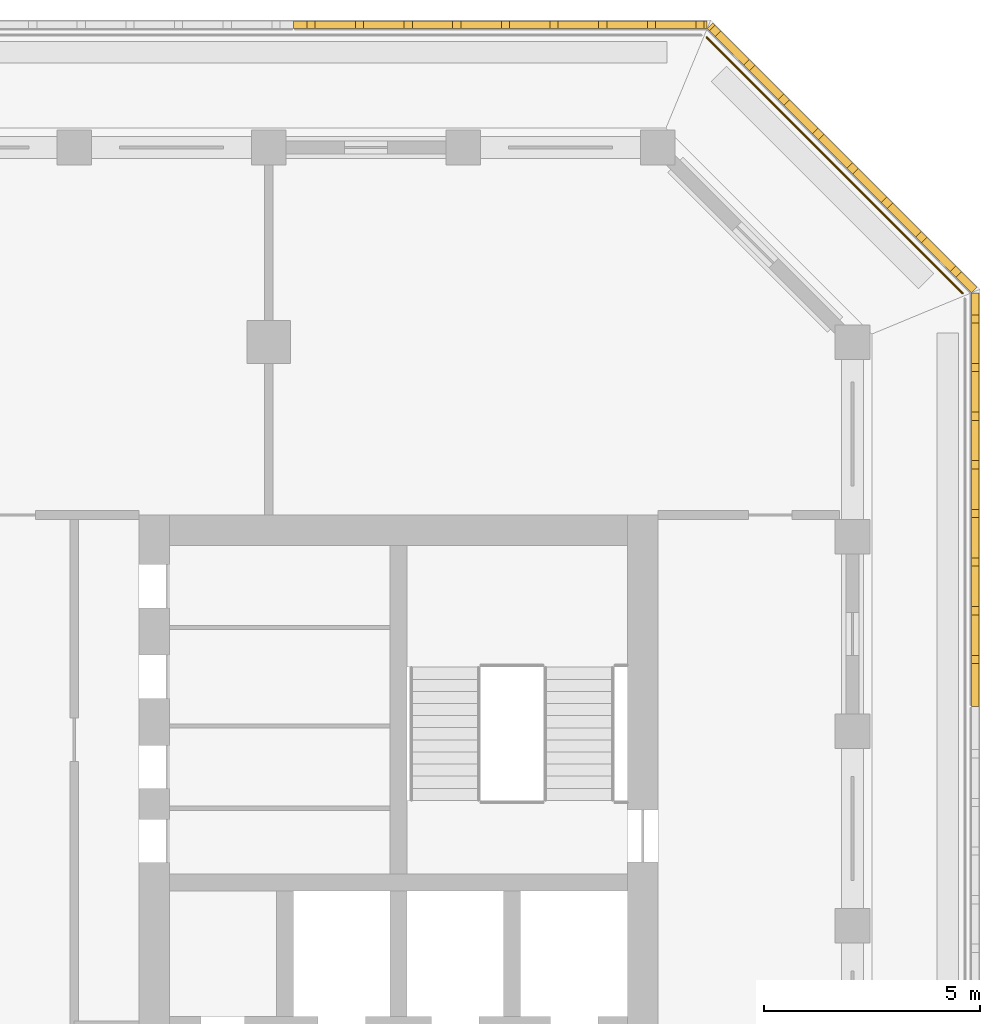
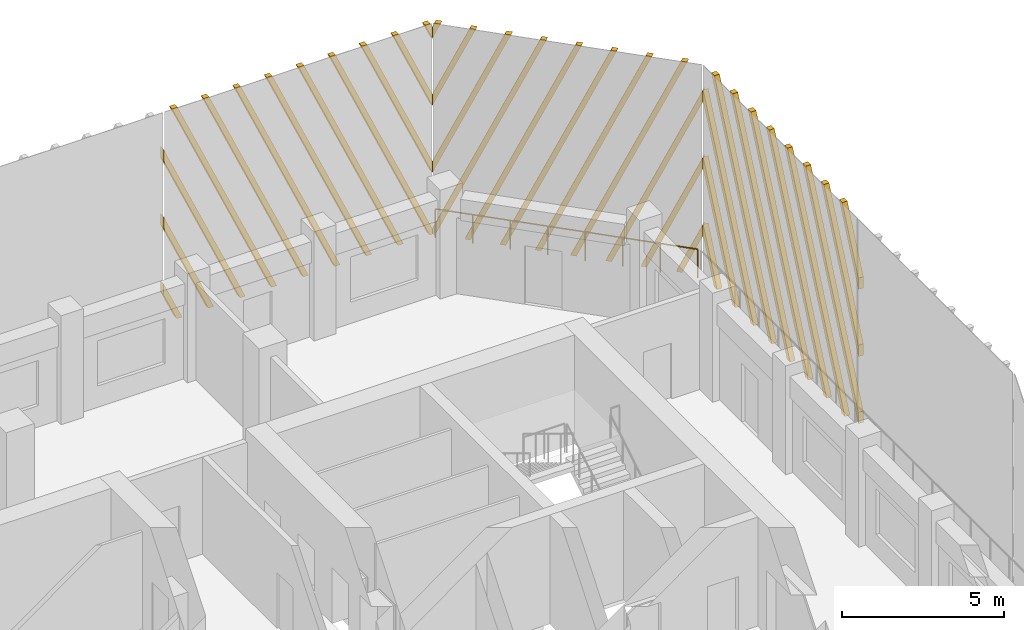
# One storey, part 14 of 15: 3 shading devices, 1 railing.
"""IFC4 building model written with IfcOpenShell, lengths in metres."""

from ifc_helpers import new_model, si_unit, direction, frame, origin, origin_2d, place, context, subcontext, project, spatial, polyline, circle, outline, extrude, source, transform, mapped, material, type_object, element, save


model = new_model("IFC4")

# Units and contexts
model_context = context("Model", 3, precision=1e-05, world=origin(), true_north=direction((0.0, 1.0)))
body_context = subcontext(model_context, "Body", "Model", "MODEL_VIEW")
ifc_project = project(units=[si_unit("LENGTHUNIT", "METRE"), si_unit("AREAUNIT", "SQUARE_METRE"), si_unit("VOLUMEUNIT", "CUBIC_METRE"), si_unit("PLANEANGLEUNIT", "RADIAN"), si_unit("MASSUNIT", "GRAM", prefix="KILO")], contexts=[model_context])

# Site, building, storey
site_placement = place(None, origin())
site = spatial("IfcSite", under=ifc_project, at=site_placement, CompositionType="ELEMENT")
building_placement = place(site_placement, origin())
building = spatial("IfcBuilding", under=site, at=building_placement, Name="Corbel Stack Research Tower", CompositionType="ELEMENT")
storey_placement = place(building_placement, frame((0.0, 0.0, 274.5)))
storey = spatial("IfcBuildingStorey", under=building, at=storey_placement, Name="L62", CompositionType="ELEMENT", Elevation=274.5)

# Railing
ifc_material_1 = material(Name="Powder-coated steel guard", Category="steel")
railing_type = type_object("IfcRailingType", Name="Steel and glass guard 1100", PredefinedType="GUARDRAIL", material=ifc_material_1)
railing_placement = place(storey_placement, frame((25.04931640625, 23.627685546875, 0.0)))
element("IfcRailing", 1, at=railing_placement, inside=storey, type_object=railing_type, Name="Loggia guard L62 NE", PredefinedType="GUARDRAIL", context=body_context, shape_type="SweptSolid", body=[
    extrude(circle(Radius=0.02392578125, at=origin_2d()), frame((0.0, 0.0, 1.076171875), z_axis=(-0.707106781187, 0.707106781187, 0.0), x_axis=(-0.707106781187, -0.707106781187, 0.0)), (0.0, 0.0, 1.0), 8.37451171875),
    extrude(circle(Radius=0.02099609375, at=origin_2d()), origin(), (0.0, 0.0, 1.0), 1.052001953125),
    extrude(circle(Radius=0.02099609375, at=origin_2d()), frame((-0.845947265625, 0.845947265625, 0.0)), (0.0, 0.0, 1.0), 1.052001953125),
    extrude(circle(Radius=0.02099609375, at=origin_2d()), frame((-1.69189453125, 1.69189453125, 0.0)), (0.0, 0.0, 1.0), 1.052001953125),
    extrude(circle(Radius=0.02099609375, at=origin_2d()), frame((-2.537841796875, 2.537841796875, 0.0)), (0.0, 0.0, 1.0), 1.052001953125),
    extrude(circle(Radius=0.02099609375, at=origin_2d()), frame((-3.3837890625, 3.3837890625, 0.0)), (0.0, 0.0, 1.0), 1.052001953125),
    extrude(circle(Radius=0.02099609375, at=origin_2d()), frame((-4.229736328125, 4.229736328125, 0.0)), (0.0, 0.0, 1.0), 1.052001953125),
    extrude(circle(Radius=0.02099609375, at=origin_2d()), frame((-5.07568359375, 5.07568359375, 0.0)), (0.0, 0.0, 1.0), 1.052001953125),
    extrude(circle(Radius=0.02099609375, at=origin_2d()), frame((-5.921630859375, 5.921630859375, 0.0)), (0.0, 0.0, 1.0), 1.052001953125),
])

# Shading devices
ifc_material_2 = material(Name="Precast terracotta", Category="masonry")
shading_device_type = type_object("IfcShadingDeviceType", Name="Terracotta screen panel", PredefinedType="USERDEFINED", material=ifc_material_2)
shared_shape_1 = source(origin(), body_context, "Body", "SweptSolid", [
    extrude(outline(polyline([(0.259521484375, 7.949951171875), (0.069580078125, 7.949951171875), (0.0, 7.793701171875), (0.0, 7.366943359375), (0.259521484375, 7.949951171875)])), frame((0.0, 0.0, 0.0), z_axis=(0.0, -1.0, 0.0), x_axis=(1.0, 0.0, 0.0)), (0.0, 0.0, 1.0), 0.179931640625),
    extrude(outline(polyline([(1.384521484375, 7.949951171875), (1.194580078125, 7.949951171875), (0.0, 5.26708984375), (0.0, 4.840087890625), (1.384521484375, 7.949951171875)])), frame((0.0, 0.0, 0.0), z_axis=(0.0, -1.0, 0.0), x_axis=(1.0, 0.0, 0.0)), (0.0, 0.0, 1.0), 0.179931640625),
    extrude(outline(polyline([(2.509521484375, 7.949951171875), (2.319580078125, 7.949951171875), (0.0, 2.740234375), (0.0, 2.3134765625), (2.509521484375, 7.949951171875)])), frame((0.0, 0.0, 0.0), z_axis=(0.0, -1.0, 0.0), x_axis=(1.0, 0.0, 0.0)), (0.0, 0.0, 1.0), 0.179931640625),
    extrude(outline(polyline([(0.094970703125, 0.0), (3.634521484375, 7.949951171875), (3.444580078125, 7.949951171875), (0.0, 0.21337890625), (0.0, 0.0), (0.094970703125, 0.0)])), frame((0.0, 0.0, 0.0), z_axis=(0.0, -1.0, 0.0), x_axis=(1.0, 0.0, 0.0)), (0.0, 0.0, 1.0), 0.179931640625),
    extrude(outline(polyline([(1.219970703125, 0.0), (4.759521484375, 7.949951171875), (4.569580078125, 7.949951171875), (1.030029296875, 0.0), (1.219970703125, 0.0)])), frame((0.0, 0.0, 0.0), z_axis=(0.0, -1.0, 0.0), x_axis=(1.0, 0.0, 0.0)), (0.0, 0.0, 1.0), 0.179931640625),
    extrude(outline(polyline([(2.344970703125, 0.0), (5.884521484375, 7.949951171875), (5.694580078125, 7.949951171875), (2.155029296875, 0.0), (2.344970703125, 0.0)])), frame((0.0, 0.0, 0.0), z_axis=(0.0, -1.0, 0.0), x_axis=(1.0, 0.0, 0.0)), (0.0, 0.0, 1.0), 0.179931640625),
    extrude(outline(polyline([(3.469970703125, 0.0), (7.009521484375, 7.949951171875), (6.819580078125, 7.949951171875), (3.280029296875, 0.0), (3.469970703125, 0.0)])), frame((0.0, 0.0, 0.0), z_axis=(0.0, -1.0, 0.0), x_axis=(1.0, 0.0, 0.0)), (0.0, 0.0, 1.0), 0.179931640625),
    extrude(outline(polyline([(4.594970703125, 0.0), (8.134521484375, 7.949951171875), (7.944580078125, 7.949951171875), (4.405029296875, 0.0), (4.594970703125, 0.0)])), frame((0.0, 0.0, 0.0), z_axis=(0.0, -1.0, 0.0), x_axis=(1.0, 0.0, 0.0)), (0.0, 0.0, 1.0), 0.179931640625),
    extrude(outline(polyline([(5.719970703125, 0.0), (9.259521484375, 7.949951171875), (9.069580078125, 7.949951171875), (5.530029296875, 0.0), (5.719970703125, 0.0)])), frame((0.0, 0.0, 0.0), z_axis=(0.0, -1.0, 0.0), x_axis=(1.0, 0.0, 0.0)), (0.0, 0.0, 1.0), 0.179931640625),
    extrude(outline(polyline([(6.844970703125, 0.0), (9.569580078125, 6.119384765625), (9.569580078125, 6.546142578125), (6.655029296875, 0.0), (6.844970703125, 0.0)])), frame((0.0, 0.0, 0.0), z_axis=(0.0, -1.0, 0.0), x_axis=(1.0, 0.0, 0.0)), (0.0, 0.0, 1.0), 0.179931640625),
    extrude(outline(polyline([(7.969970703125, 0.0), (9.569580078125, 3.592529296875), (9.569580078125, 4.019287109375), (7.780029296875, 0.0), (7.969970703125, 0.0)])), frame((0.0, 0.0, 0.0), z_axis=(0.0, -1.0, 0.0), x_axis=(1.0, 0.0, 0.0)), (0.0, 0.0, 1.0), 0.179931640625),
    extrude(outline(polyline([(9.094970703125, 0.0), (9.569580078125, 1.06591796875), (9.569580078125, 1.49267578125), (8.905029296875, 0.0), (9.094970703125, 0.0)])), frame((0.0, 0.0, 0.0), z_axis=(0.0, -1.0, 0.0), x_axis=(1.0, 0.0, 0.0)), (0.0, 0.0, 1.0), 0.179931640625),
])
shading_device_1_placement = place(storey_placement, frame((19.13916015625, 29.75, 0.0), z_axis=(0.0, 0.0, 1.0), x_axis=(-1.0, 0.0, 0.0)))
element("IfcShadingDevice", 2, at=shading_device_1_placement, inside=storey, type_object=shading_device_type, Name="Terracotta screen L62 N1", ObjectType="SCREEN", PredefinedType="USERDEFINED", context=body_context, shape_type="MappedRepresentation", body=[
    mapped(shared_shape_1, transform((0.0, 0.0, 0.0))),
])
shared_shape_2 = source(origin(), body_context, "Body", "SweptSolid", [
    extrude(outline(polyline([(0.862060546875, 0.0), (0.0, 1.936279296875), (0.0, 1.509521484375), (0.672119140625, 0.0), (0.862060546875, 0.0)])), frame((0.0, 0.0, 0.0), z_axis=(0.0, -1.0, 0.0), x_axis=(1.0, 0.0, 0.0)), (0.0, 0.0, 1.0), 0.179931640625),
    extrude(outline(polyline([(1.987060546875, 0.0), (0.0, 4.463134765625), (0.0, 4.036376953125), (1.797119140625, 0.0), (1.987060546875, 0.0)])), frame((0.0, 0.0, 0.0), z_axis=(0.0, -1.0, 0.0), x_axis=(1.0, 0.0, 0.0)), (0.0, 0.0, 1.0), 0.179931640625),
    extrude(outline(polyline([(3.112060546875, 0.0), (0.0, 6.989990234375), (0.0, 6.563232421875), (2.922119140625, 0.0), (3.112060546875, 0.0)])), frame((0.0, 0.0, 0.0), z_axis=(0.0, -1.0, 0.0), x_axis=(1.0, 0.0, 0.0)), (0.0, 0.0, 1.0), 0.179931640625),
    extrude(outline(polyline([(4.237060546875, 0.0), (0.697509765625, 7.949951171875), (0.507568359375, 7.949951171875), (4.047119140625, 0.0), (4.237060546875, 0.0)])), frame((0.0, 0.0, 0.0), z_axis=(0.0, -1.0, 0.0), x_axis=(1.0, 0.0, 0.0)), (0.0, 0.0, 1.0), 0.179931640625),
    extrude(outline(polyline([(5.362060546875, 0.0), (1.822509765625, 7.949951171875), (1.632568359375, 7.949951171875), (5.172119140625, 0.0), (5.362060546875, 0.0)])), frame((0.0, 0.0, 0.0), z_axis=(0.0, -1.0, 0.0), x_axis=(1.0, 0.0, 0.0)), (0.0, 0.0, 1.0), 0.179931640625),
    extrude(outline(polyline([(6.487060546875, 0.0), (2.947509765625, 7.949951171875), (2.757568359375, 7.949951171875), (6.297119140625, 0.0), (6.487060546875, 0.0)])), frame((0.0, 0.0, 0.0), z_axis=(0.0, -1.0, 0.0), x_axis=(1.0, 0.0, 0.0)), (0.0, 0.0, 1.0), 0.179931640625),
    extrude(outline(polyline([(7.612060546875, 0.0), (4.072509765625, 7.949951171875), (3.882568359375, 7.949951171875), (7.422119140625, 0.0), (7.612060546875, 0.0)])), frame((0.0, 0.0, 0.0), z_axis=(0.0, -1.0, 0.0), x_axis=(1.0, 0.0, 0.0)), (0.0, 0.0, 1.0), 0.179931640625),
    extrude(outline(polyline([(8.64208984375, 0.0), (8.64208984375, 0.21337890625), (5.197509765625, 7.949951171875), (5.007568359375, 7.949951171875), (8.547119140625, 0.0), (8.64208984375, 0.0)])), frame((0.0, 0.0, 0.0), z_axis=(0.0, -1.0, 0.0), x_axis=(1.0, 0.0, 0.0)), (0.0, 0.0, 1.0), 0.179931640625),
    extrude(outline(polyline([(6.322509765625, 7.949951171875), (6.132568359375, 7.949951171875), (8.64208984375, 2.3134765625), (8.64208984375, 2.740234375), (6.322509765625, 7.949951171875)])), frame((0.0, 0.0, 0.0), z_axis=(0.0, -1.0, 0.0), x_axis=(1.0, 0.0, 0.0)), (0.0, 0.0, 1.0), 0.179931640625),
    extrude(outline(polyline([(7.447509765625, 7.949951171875), (7.257568359375, 7.949951171875), (8.64208984375, 4.840087890625), (8.64208984375, 5.26708984375), (7.447509765625, 7.949951171875)])), frame((0.0, 0.0, 0.0), z_axis=(0.0, -1.0, 0.0), x_axis=(1.0, 0.0, 0.0)), (0.0, 0.0, 1.0), 0.179931640625),
    extrude(outline(polyline([(8.572509765625, 7.949951171875), (8.382568359375, 7.949951171875), (8.64208984375, 7.366943359375), (8.64208984375, 7.793701171875), (8.572509765625, 7.949951171875)])), frame((0.0, 0.0, 0.0), z_axis=(0.0, -1.0, 0.0), x_axis=(1.0, 0.0, 0.0)), (0.0, 0.0, 1.0), 0.179931640625),
])
shading_device_2_placement = place(storey_placement, frame((25.25, 23.63916015625, 0.0), z_axis=(0.0, 0.0, 1.0), x_axis=(-0.707106781187, 0.707106781187, 0.0)))
element("IfcShadingDevice", 3, at=shading_device_2_placement, inside=storey, type_object=shading_device_type, Name="Terracotta screen L62 NE1", ObjectType="SCREEN", PredefinedType="USERDEFINED", context=body_context, shape_type="MappedRepresentation", body=[
    mapped(shared_shape_2, transform((0.0, 0.0, 0.0))),
])
shared_shape_3 = source(origin(), body_context, "Body", "SweptSolid", [
    extrude(outline(polyline([(1.18701171875, 7.949951171875), (0.9970703125, 7.949951171875), (0.0, 5.710693359375), (0.0, 5.283935546875), (1.18701171875, 7.949951171875)])), frame((0.0, 0.0, 0.0), z_axis=(0.0, -1.0, 0.0), x_axis=(1.0, 0.0, 0.0)), (0.0, 0.0, 1.0), 0.179931640625),
    extrude(outline(polyline([(2.31201171875, 7.949951171875), (2.1220703125, 7.949951171875), (0.0, 3.18408203125), (0.0, 2.757080078125), (2.31201171875, 7.949951171875)])), frame((0.0, 0.0, 0.0), z_axis=(0.0, -1.0, 0.0), x_axis=(1.0, 0.0, 0.0)), (0.0, 0.0, 1.0), 0.179931640625),
    extrude(outline(polyline([(3.43701171875, 7.949951171875), (3.2470703125, 7.949951171875), (0.0, 0.6572265625), (0.0, 0.23046875), (3.43701171875, 7.949951171875)])), frame((0.0, 0.0, 0.0), z_axis=(0.0, -1.0, 0.0), x_axis=(1.0, 0.0, 0.0)), (0.0, 0.0, 1.0), 0.179931640625),
    extrude(outline(polyline([(1.0224609375, 0.0), (4.56201171875, 7.949951171875), (4.3720703125, 7.949951171875), (0.83251953125, 0.0), (1.0224609375, 0.0)])), frame((0.0, 0.0, 0.0), z_axis=(0.0, -1.0, 0.0), x_axis=(1.0, 0.0, 0.0)), (0.0, 0.0, 1.0), 0.179931640625),
    extrude(outline(polyline([(2.1474609375, 0.0), (5.68701171875, 7.949951171875), (5.4970703125, 7.949951171875), (1.95751953125, 0.0), (2.1474609375, 0.0)])), frame((0.0, 0.0, 0.0), z_axis=(0.0, -1.0, 0.0), x_axis=(1.0, 0.0, 0.0)), (0.0, 0.0, 1.0), 0.179931640625),
    extrude(outline(polyline([(3.2724609375, 0.0), (6.81201171875, 7.949951171875), (6.6220703125, 7.949951171875), (3.08251953125, 0.0), (3.2724609375, 0.0)])), frame((0.0, 0.0, 0.0), z_axis=(0.0, -1.0, 0.0), x_axis=(1.0, 0.0, 0.0)), (0.0, 0.0, 1.0), 0.179931640625),
    extrude(outline(polyline([(4.3974609375, 0.0), (7.93701171875, 7.949951171875), (7.7470703125, 7.949951171875), (4.20751953125, 0.0), (4.3974609375, 0.0)])), frame((0.0, 0.0, 0.0), z_axis=(0.0, -1.0, 0.0), x_axis=(1.0, 0.0, 0.0)), (0.0, 0.0, 1.0), 0.179931640625),
    extrude(outline(polyline([(5.5224609375, 0.0), (9.06201171875, 7.949951171875), (8.8720703125, 7.949951171875), (5.33251953125, 0.0), (5.5224609375, 0.0)])), frame((0.0, 0.0, 0.0), z_axis=(0.0, -1.0, 0.0), x_axis=(1.0, 0.0, 0.0)), (0.0, 0.0, 1.0), 0.179931640625),
    extrude(outline(polyline([(6.6474609375, 0.0), (9.569580078125, 6.563232421875), (9.569580078125, 6.989990234375), (6.45751953125, 0.0), (6.6474609375, 0.0)])), frame((0.0, 0.0, 0.0), z_axis=(0.0, -1.0, 0.0), x_axis=(1.0, 0.0, 0.0)), (0.0, 0.0, 1.0), 0.179931640625),
    extrude(outline(polyline([(7.7724609375, 0.0), (9.569580078125, 4.036376953125), (9.569580078125, 4.463134765625), (7.58251953125, 0.0), (7.7724609375, 0.0)])), frame((0.0, 0.0, 0.0), z_axis=(0.0, -1.0, 0.0), x_axis=(1.0, 0.0, 0.0)), (0.0, 0.0, 1.0), 0.179931640625),
    extrude(outline(polyline([(8.8974609375, 0.0), (9.569580078125, 1.509521484375), (9.569580078125, 1.936279296875), (8.70751953125, 0.0), (8.8974609375, 0.0)])), frame((0.0, 0.0, 0.0), z_axis=(0.0, -1.0, 0.0), x_axis=(1.0, 0.0, 0.0)), (0.0, 0.0, 1.0), 0.179931640625),
])
shading_device_3_placement = place(storey_placement, frame((25.25, 14.069580078125, 0.0), z_axis=(0.0, 0.0, 1.0), x_axis=(0.0, 1.0, 0.0)))
element("IfcShadingDevice", 4, at=shading_device_3_placement, inside=storey, type_object=shading_device_type, Name="Terracotta screen L62 E4", ObjectType="SCREEN", PredefinedType="USERDEFINED", context=body_context, shape_type="MappedRepresentation", body=[
    mapped(shared_shape_3, transform((0.0, 0.0, 0.0))),
])

save(model, "model.ifc")
